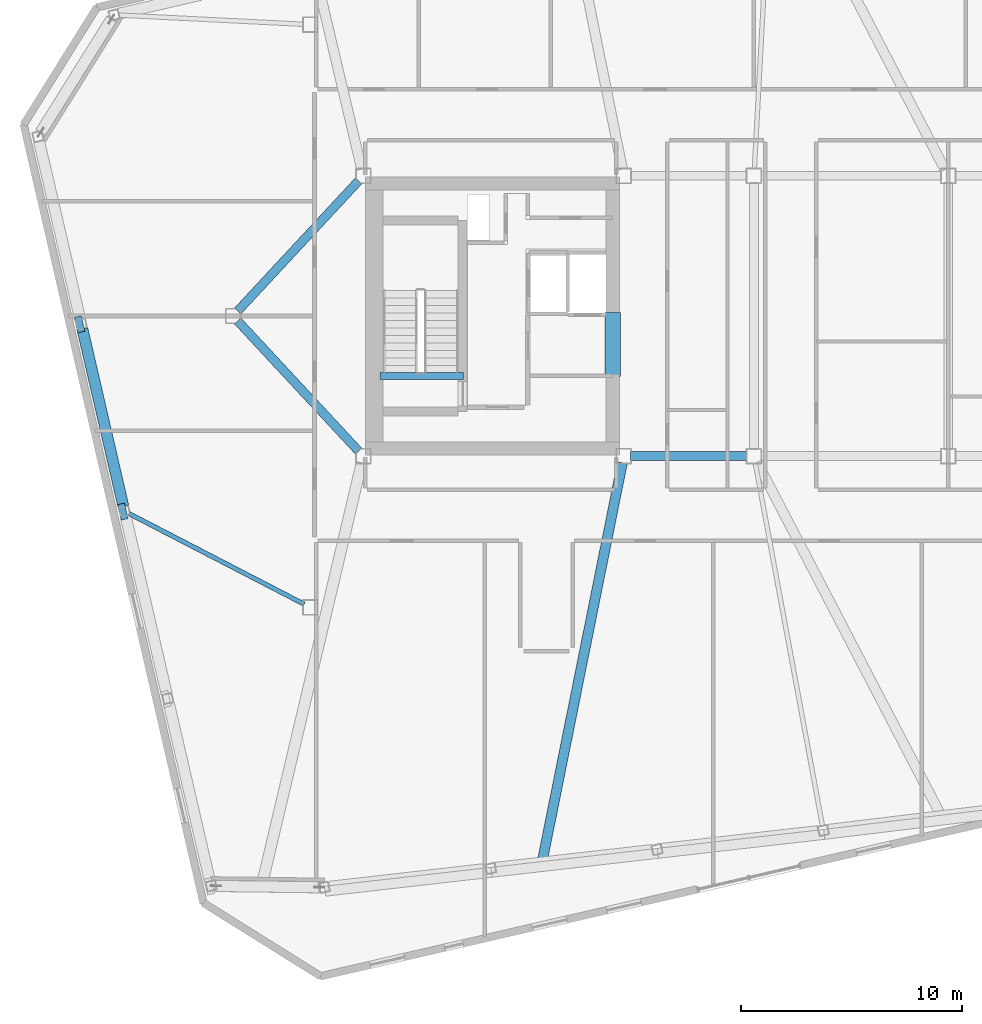
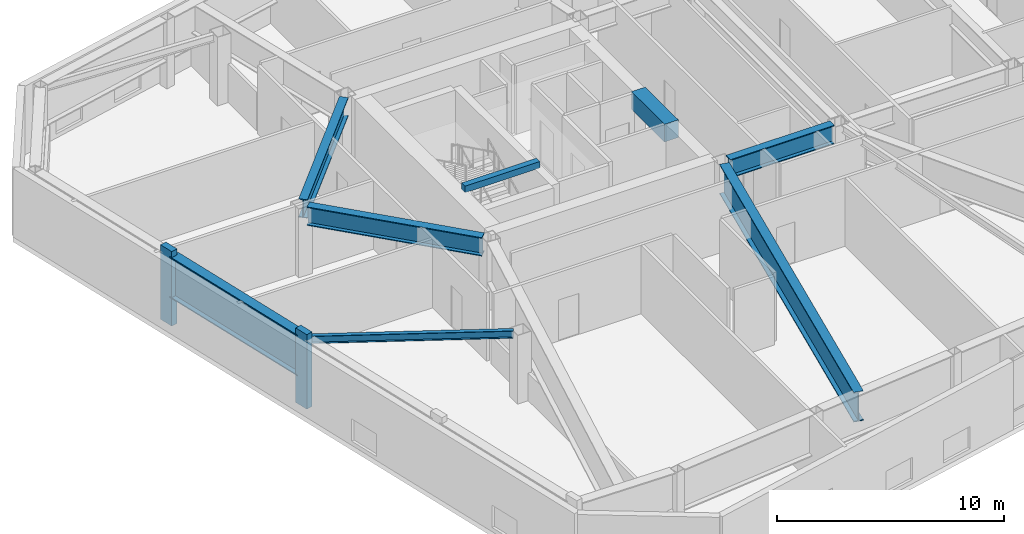
# One storey, part 6 of 23: 8 beams, 2 members.
"""IFC4 building model written with IfcOpenShell, lengths in metres."""

from ifc_helpers import new_model, si_unit, direction, frame, origin, origin_2d, place, context, subcontext, project, spatial, rectangle, i_section, extrude, material, material_profile, profile_set, type_object, element, save


model = new_model("IFC4")

# Units and contexts
model_context = context("Model", 3, precision=1e-05, world=origin(), true_north=direction((0.0, 1.0)))
body_context = subcontext(model_context, "Body", "Model", "MODEL_VIEW")
ifc_project = project(units=[si_unit("LENGTHUNIT", "METRE"), si_unit("AREAUNIT", "SQUARE_METRE"), si_unit("VOLUMEUNIT", "CUBIC_METRE"), si_unit("PLANEANGLEUNIT", "RADIAN"), si_unit("MASSUNIT", "GRAM", prefix="KILO")], contexts=[model_context])

# Site, building, storey
site_placement = place(None, origin())
site = spatial("IfcSite", under=ifc_project, at=site_placement, CompositionType="ELEMENT")
building_placement = place(site_placement, origin())
building = spatial("IfcBuilding", under=site, at=building_placement, Name="Tavrogorsk Clinical Tower", CompositionType="ELEMENT")
storey_placement = place(building_placement, frame((0.0, 0.0, 329.0)))
storey = spatial("IfcBuildingStorey", under=building, at=storey_placement, Name="L77", CompositionType="ELEMENT", Elevation=329.0)

# Beams
ifc_material_1 = material(Name="Concrete B80", Category="concrete")
ifc_material_profile_1 = material_profile(ifc_material_1, rectangle(XDim=0.699951171875, YDim=0.949951171875, at=origin_2d()), Name="RC-CB-700x950")
ifc_profile_set_1 = profile_set([ifc_material_profile_1], Name="Concrete B80")
beam_type_1 = type_object("IfcBeamType", Name="CouplingBeam_RC700x950", PredefinedType="LINTEL", material=ifc_profile_set_1)
beam_1_placement = place(storey_placement, frame((-10.800048828125, -2.75, 3.205078125), z_axis=(0.0, 1.0, 0.0), x_axis=(-1.0, 0.0, 0.0)))
element("IfcBeam", 1, at=beam_1_placement, inside=storey, type_object=beam_type_1, Name="L77 Core West Coupling Beam", PredefinedType="LINTEL", context=body_context, shape_type="SweptSolid", body=[
    extrude(rectangle(XDim=0.699951171875, YDim=0.949951171875, at=origin_2d()), origin(), (0.0, 0.0, 1.0), 2.89990234375),
])
ifc_material_2 = material(Name="Structural steel S355", Category="steel")
ifc_material_profile_2 = material_profile(ifc_material_2, i_section(OverallWidth=0.199951171875, OverallDepth=0.39990234375, WebThickness=0.010498046875, FlangeThickness=0.01611328125, at=origin_2d()), Name="B-400x200x10.5x16")
ifc_profile_set_2 = profile_set([ifc_material_profile_2], Name="Structural steel S355")
beam_type_2 = type_object("IfcBeamType", Name="FloorBeam_B400", PredefinedType="BEAM", material=ifc_profile_set_2)
beam_2_placement = place(storey_placement, frame((-24.775390625, -13.0576171875, 3.47998046875), z_axis=(-0.888188417157, 0.459479418069, 0.0), x_axis=(-0.459479418069, -0.888188417157, 0.0)))
element("IfcBeam", 2, at=beam_2_placement, inside=storey, type_object=beam_type_2, Name="L77 Radial Floor Beam W3", PredefinedType="BEAM", context=body_context, shape_type="SweptSolid", body=[
    extrude(i_section(OverallWidth=0.199951171875, OverallDepth=0.39990234375, WebThickness=0.010498046875, FlangeThickness=0.01611328125, at=origin_2d()), origin(), (0.0, 0.0, 1.0), 8.93408203125),
])

# Members
ifc_material_3 = material(Name="Precast concrete B45 with limestone cladding", Category="masonry")
ifc_material_profile_3 = material_profile(ifc_material_3, rectangle(XDim=0.320068359375, YDim=0.719970703125, at=origin_2d()), Name="LIMESTONE-FIN-320x720")
ifc_profile_set_3 = profile_set([ifc_material_profile_3], Name="Precast concrete B45 with limestone cladding")
member_type = type_object("IfcMemberType", Name="LimestonePleatFin_320x720", PredefinedType="USERDEFINED", material=ifc_profile_set_3)
for number, where, z_axis, x_axis, name in (
    (3, (-34.95458984375, -0.376708984375, 0.0), (0.0, 0.0, 1.0), (0.974370064785, 0.224951054344, 0.0), "L77 W Pleated Stone Fin 1"),
    (4, (-32.995361328125, -8.863525390625, 0.0), (0.0, 0.0, 1.0), (0.974370064785, 0.224951054344, 0.0), "L77 W Pleated Stone Fin 2"),
):
    element("IfcMember", number, at=place(storey_placement, frame(where, z_axis=z_axis, x_axis=x_axis)), inside=storey, type_object=member_type, Name=name, ObjectType="FIN", PredefinedType="USERDEFINED", context=body_context, shape_type="SweptSolid", body=[
        extrude(rectangle(XDim=0.320068359375, YDim=0.719970703125, at=origin_2d()), origin(), (0.0, 0.0, 1.0), 4.0),
    ])

# Beams
ifc_material_4 = material(Name="Concrete B60", Category="concrete")
ifc_material_profile_4 = material_profile(ifc_material_4, rectangle(XDim=0.300048828125, YDim=0.35009765625, at=origin_2d()), Name="RC-SHB-300x350")
ifc_profile_set_4 = profile_set([ifc_material_profile_4], Name="Concrete B60")
beam_type_3 = type_object("IfcBeamType", Name="StairHeaderBeam_RC300x350", PredefinedType="BEAM", material=ifc_profile_set_4)
beam_3_placement = place(storey_placement, frame((-21.35009765625, -2.719970703125, 3.824951171875), z_axis=(1.0, 0.0, 0.0), x_axis=(0.0, 1.0, 0.0)))
element("IfcBeam", 5, at=beam_3_placement, inside=storey, type_object=beam_type_3, Name="L78 ST-W Landing Header Beam", PredefinedType="BEAM", context=body_context, shape_type="SweptSolid", body=[
    extrude(rectangle(XDim=0.300048828125, YDim=0.35009765625, at=origin_2d()), origin(), (0.0, 0.0, 1.0), 3.800048828125),
])
ifc_material_5 = material(Name="Structural steel S440", Category="steel")
ifc_material_profile_5 = material_profile(ifc_material_5, i_section(OverallWidth=0.39990234375, OverallDepth=1.0, WebThickness=0.028076171875, FlangeThickness=0.044921875, at=origin_2d()), Name="DK-1000x400x28x45")
ifc_profile_set_5 = profile_set([ifc_material_profile_5], Name="Structural steel S440")
beam_type_4 = type_object("IfcBeamType", Name="TransferGirder_DK1000", PredefinedType="USERDEFINED", material=ifc_profile_set_5)
beam_4_placement = place(storey_placement, frame((-9.989990234375, -6.35009765625, 3.179931640625), z_axis=(1.0, 0.0, 0.0), x_axis=(0.0, 1.0, 0.0)))
element("IfcBeam", 6, at=beam_4_placement, inside=storey, type_object=beam_type_4, Name="L77 Primary Spine Girder MG-01", ObjectType="GIRDER", PredefinedType="USERDEFINED", context=body_context, shape_type="SweptSolid", body=[
    extrude(i_section(OverallWidth=0.39990234375, OverallDepth=1.0, WebThickness=0.028076171875, FlangeThickness=0.044921875, at=origin_2d()), origin(), (0.0, 0.0, 1.0), 5.280029296875),
])
for number, where, z_axis, x_axis, name in (
    (7, (-27.7890625, -0.22705078125, 3.179931640625), (0.680677963005, -0.732582767119, 0.0), (0.732582767119, 0.680677963005, 0.0), "L77 Spine Link Girder OPG-5"),
    (8, (-27.7890625, 0.22705078125, 3.179931640625), (0.680677963005, 0.732582767119, 0.0), (-0.732582767119, 0.680677963005, 0.0), "L77 Spine Link Girder OPG-6"),
):
    element("IfcBeam", number, at=place(storey_placement, frame(where, z_axis=z_axis, x_axis=x_axis)), inside=storey, type_object=beam_type_4, Name=name, ObjectType="GIRDER", PredefinedType="USERDEFINED", context=body_context, shape_type="SweptSolid", body=[
        extrude(i_section(OverallWidth=0.39990234375, OverallDepth=1.0, WebThickness=0.028076171875, FlangeThickness=0.044921875, at=origin_2d()), origin(), (0.0, 0.0, 1.0), 8.0478515625),
    ])
ifc_material_6 = material(Name="Structural steel S440", Category="steel")
ifc_material_profile_6 = material_profile(ifc_material_6, i_section(OverallWidth=0.449951171875, OverallDepth=1.60009765625, WebThickness=0.031982421875, FlangeThickness=0.050048828125, at=origin_2d()), Name="DK-1600x450x32x50")
ifc_profile_set_6 = profile_set([ifc_material_profile_6], Name="Structural steel S440")
beam_type_5 = type_object("IfcBeamType", Name="TransferGirder_DK1600", PredefinedType="USERDEFINED", material=ifc_profile_set_6)
beam_5_placement = place(storey_placement, frame((-10.361083984375, -6.65380859375, 2.8798828125), z_axis=(-0.197229316407, -0.980357382157, 0.0), x_axis=(0.980357382157, -0.197229316407, 0.0)))
element("IfcBeam", 9, at=beam_5_placement, inside=storey, type_object=beam_type_5, Name="L78 Crown Base Transfer Girder 05", ObjectType="GIRDER", PredefinedType="USERDEFINED", context=body_context, shape_type="SweptSolid", body=[
    extrude(i_section(OverallWidth=0.449951171875, OverallDepth=1.60009765625, WebThickness=0.031982421875, FlangeThickness=0.050048828125, at=origin_2d()), origin(), (0.0, 0.0, 1.0), 18.47119140625),
])
ifc_material_7 = material(Name="Structural steel S440", Category="steel")
ifc_material_profile_7 = material_profile(ifc_material_7, i_section(OverallWidth=0.5, OverallDepth=2.199951171875, WebThickness=0.035888671875, FlangeThickness=0.054931640625, at=origin_2d()), Name="DK-2200x500x36x55")
ifc_profile_set_7 = profile_set([ifc_material_profile_7], Name="Structural steel S440")
beam_type_6 = type_object("IfcBeamType", Name="TransferGirder_DK2200", PredefinedType="USERDEFINED", material=ifc_profile_set_7)
beam_6_placement = place(storey_placement, frame((-34.82421875, -0.585693359375, 2.580078125), z_axis=(0.224950345141, -0.974370228517, 0.0), x_axis=(0.974370228517, 0.224950345141, 0.0)))
element("IfcBeam", 10, at=beam_6_placement, inside=storey, type_object=beam_type_6, Name="L77 Perimeter Spandrel W2-W3", ObjectType="GIRDER", PredefinedType="USERDEFINED", context=body_context, shape_type="SweptSolid", body=[
    extrude(i_section(OverallWidth=0.5, OverallDepth=2.199951171875, WebThickness=0.035888671875, FlangeThickness=0.054931640625, at=origin_2d()), origin(), (0.0, 0.0, 1.0), 8.243896484375),
])

save(model, "model.ifc")
